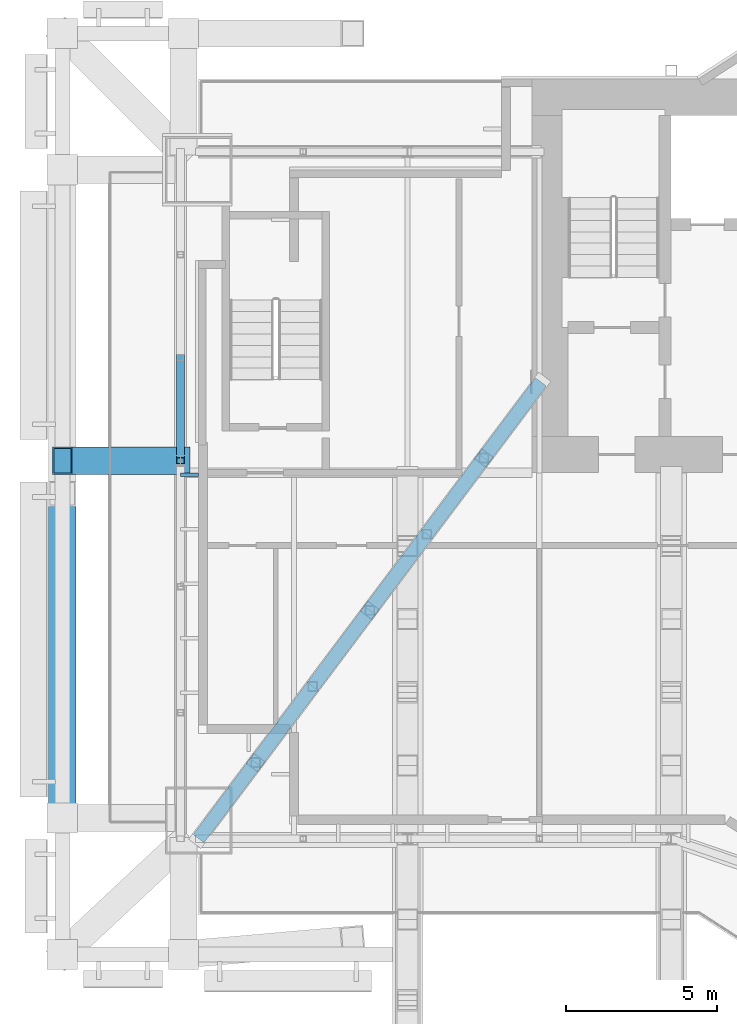
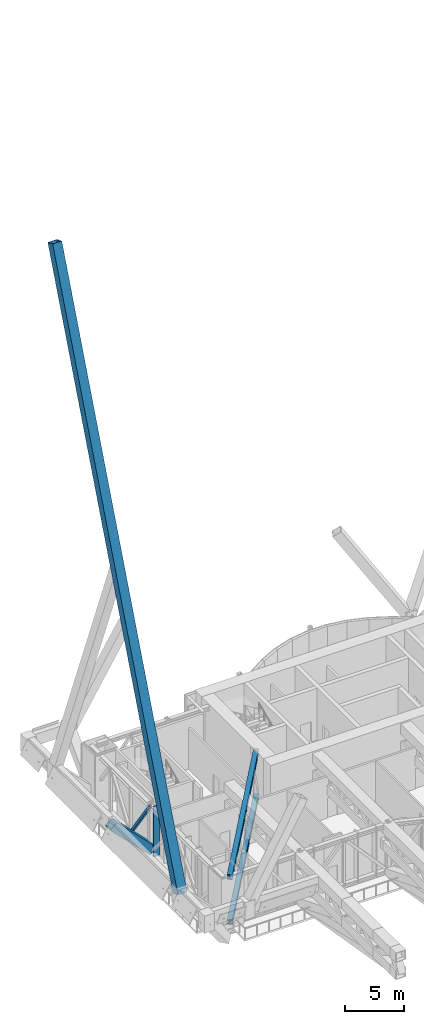
# One storey, part 8 of 30: 6 members, 1 element without a shape of its own.
"""IFC4 building model written with IfcOpenShell, lengths in metres."""

from ifc_helpers import new_model, si_unit, direction, frame, origin, origin_2d, place, context, subcontext, project, spatial, rectangle, hollow_rectangle, i_section, extrude, material, material_profile, profile_set, type_object, element, aggregate, save


model = new_model("IFC4")

# Units and contexts
model_context = context("Model", 3, precision=1e-05, world=origin(), true_north=direction((0.0, 1.0)))
body_context = subcontext(model_context, "Body", "Model", "MODEL_VIEW")
ifc_project = project(units=[si_unit("LENGTHUNIT", "METRE"), si_unit("AREAUNIT", "SQUARE_METRE"), si_unit("VOLUMEUNIT", "CUBIC_METRE"), si_unit("PLANEANGLEUNIT", "RADIAN"), si_unit("MASSUNIT", "GRAM", prefix="KILO")], contexts=[model_context])

# Site, building, storey
site_placement = place(None, origin())
site = spatial("IfcSite", under=ifc_project, at=site_placement, CompositionType="ELEMENT")
building_placement = place(site_placement, origin())
building = spatial("IfcBuilding", under=site, at=building_placement, Name="Bicima Exchange Tower", CompositionType="ELEMENT")
storey_placement = place(building_placement, frame((0.0, 0.0, 287.60009765625)))
storey = spatial("IfcBuildingStorey", under=building, at=storey_placement, Name="L65", CompositionType="ELEMENT", Elevation=287.60009765625)

# Curtain wall, member
ifc_material_1 = material(Name="Anodised bronze aluminium", Category="aluminium")
curtain_wall_type = type_object("IfcCurtainWallType", Name="Band blade screen", PredefinedType="NOTDEFINED", material=ifc_material_1)
curtain_wall_placement = place(storey_placement, origin())
curtain_wall = element("IfcCurtainWall", 1, at=curtain_wall_placement, inside=storey, type_object=curtain_wall_type, Name="Band blade screen L65", PredefinedType="NOTDEFINED")
ifc_material_profile_1 = material_profile(ifc_material_1, rectangle(XDim=0.60009765625, YDim=0.1201171875, at=origin_2d()))
ifc_profile_set_1 = profile_set([ifc_material_profile_1], Name="Anodised bronze aluminium")
member_type_1 = type_object("IfcMemberType", Name="Band blade fin 600 x 120", PredefinedType="USERDEFINED", material=ifc_profile_set_1)
member_1_placement = place(storey_placement, frame((-33.300048828125, -13.064208984375, 0.0), z_axis=(0.0, 0.0, 1.0), x_axis=(1.0, 0.0, 0.0)))
member_1 = element("IfcMember", 2, at=member_1_placement, type_object=member_type_1, Name="Band blade fin 10", ObjectType="FIN", PredefinedType="USERDEFINED", context=body_context, shape_type="SweptSolid", body=[
    extrude(rectangle(XDim=0.60009765625, YDim=0.1201171875, at=origin_2d()), origin(), (0.0, 0.0, 1.0), 5.25),
])
aggregate(curtain_wall, [member_1])

# Members
ifc_material_2 = material(Name="Steel ASTM A572 Gr 50", Category="steel")
ifc_material_profile_2 = material_profile(ifc_material_2, hollow_rectangle(XDim=0.25390625, YDim=0.25390625, WallThickness=0.01171875, at=origin_2d()))
ifc_profile_set_2 = profile_set([ifc_material_profile_2], Name="Steel ASTM A572 Gr 50")
member_type_2 = type_object("IfcMemberType", Name="Belt truss diagonal HSS10x10x1/2", PredefinedType="STRUT", material=ifc_profile_set_2)
member_2_placement = place(storey_placement, frame((-33.60009765625, -9.199951171875, 0.208251953125), z_axis=(0.0, -0.575376736325, 0.817888507864), x_axis=(1.0, 0.0, 0.0)))
element("IfcMember", 3, at=member_2_placement, inside=storey, type_object=member_type_2, Name="Truss diagonal", PredefinedType="STRUT", context=body_context, shape_type="SweptSolid", body=[
    extrude(hollow_rectangle(XDim=0.25390625, YDim=0.25390625, WallThickness=0.01171875, at=origin_2d()), origin(), (0.0, 0.0, 1.0), 5.909423828125),
])
ifc_material_profile_3 = material_profile(ifc_material_2, hollow_rectangle(XDim=0.89990234375, YDim=0.89990234375, WallThickness=0.050048828125, at=origin_2d()))
ifc_profile_set_3 = profile_set([ifc_material_profile_3], Name="Steel ASTM A572 Gr 50")
member_type_3 = type_object("IfcMemberType", Name="Exo mega brace BOX 900x900x50", PredefinedType="BRACE", material=ifc_profile_set_3)
member_3_placement = place(storey_placement, frame((-37.5, -24.400634765625, 4.5), z_axis=(0.0, 0.363480782121, 0.931601696558), x_axis=(-1.0, 0.0, 0.0)))
element("IfcMember", 4, at=member_3_placement, inside=storey, type_object=member_type_3, Name="Exo mega brace end", PredefinedType="BRACE", context=body_context, shape_type="SweptSolid", body=[
    extrude(hollow_rectangle(XDim=0.89990234375, YDim=0.89990234375, WallThickness=0.050048828125, at=origin_2d()), origin(), (0.0, 0.0, 1.0), 58.876953125),
])
member_type_4 = type_object("IfcMemberType", Name="Exo outrigger stub BOX 900x900x50", PredefinedType="STRUT", material=ifc_profile_set_3)
member_4_placement = place(storey_placement, frame((-33.60009765625, -12.60009765625, 0.599853515625), z_axis=(-0.70708464848, 0.0, 0.707128913201), x_axis=(0.0, -1.0, 0.0)))
element("IfcMember", 5, at=member_4_placement, inside=storey, type_object=member_type_4, Name="Exo outrigger stub", PredefinedType="STRUT", context=body_context, shape_type="SweptSolid", body=[
    extrude(hollow_rectangle(XDim=0.89990234375, YDim=0.89990234375, WallThickness=0.050048828125, at=origin_2d()), origin(), (0.0, 0.0, 1.0), 5.515380859375),
])
ifc_material_3 = material(Name="Steel ASTM A992 Gr 50", Category="steel")
ifc_material_profile_4 = material_profile(ifc_material_3, i_section(OverallWidth=0.45458984375, OverallDepth=0.56884765625, WebThickness=0.077880859375, FlangeThickness=0.124755859375, at=origin_2d()))
ifc_profile_set_4 = profile_set([ifc_material_profile_4], Name="Steel ASTM A992 Gr 50")
member_type_5 = type_object("IfcMemberType", Name="Outrigger truss chord W14x730", PredefinedType="CHORD", material=ifc_profile_set_4)
for number, where, z_axis, x_axis, name in (
    (6, (-21.699951171875, -10.0, 4.96533203125), (-0.59961025017, -0.800292164082, 0.0), (0.800292164082, -0.59961025017, 0.0), "Top chord"),
    (7, (-21.699951171875, -10.0, 0.284423828125), (-0.59961025017, -0.800292164082, 0.0), (0.800292164082, -0.59961025017, 0.0), "Bottom chord"),
):
    element("IfcMember", number, at=place(storey_placement, frame(where, z_axis=z_axis, x_axis=x_axis)), inside=storey, type_object=member_type_5, Name=name, PredefinedType="CHORD", context=body_context, shape_type="SweptSolid", body=[
        extrude(i_section(OverallWidth=0.45458984375, OverallDepth=0.56884765625, WebThickness=0.077880859375, FlangeThickness=0.124755859375, at=origin_2d()), origin(), (0.0, 0.0, 1.0), 18.845703125),
    ])

save(model, "model.ifc")
